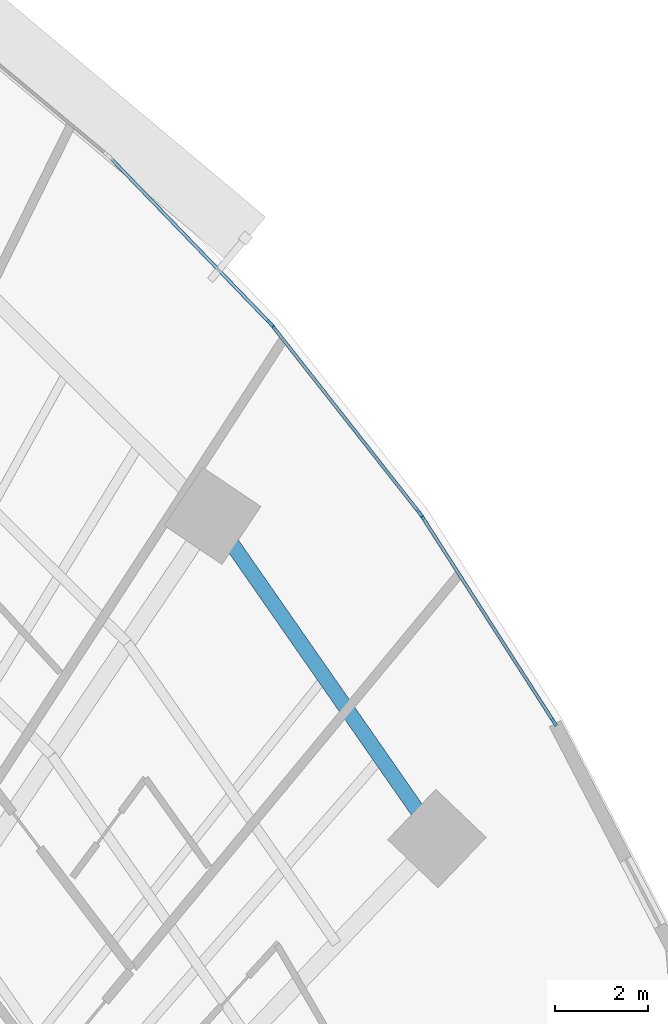
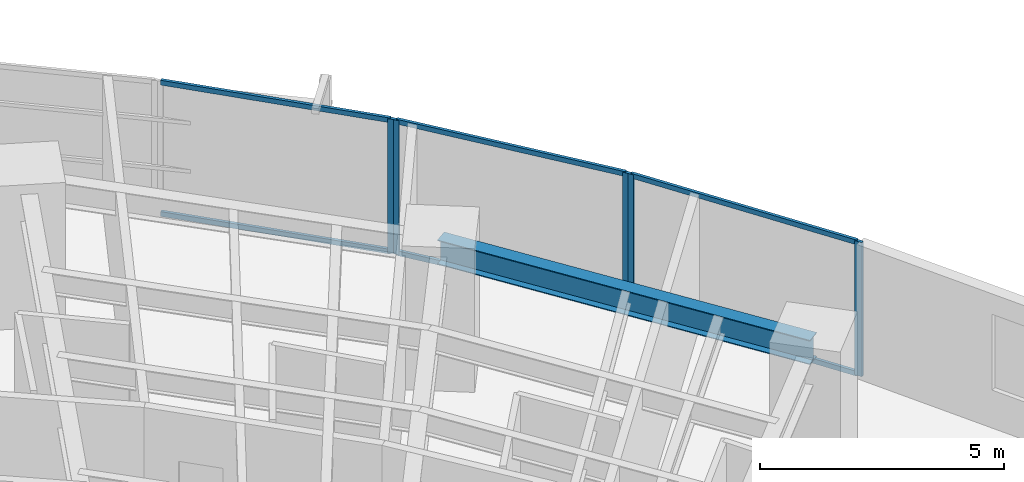
# One storey, part 8 of 18: 11 members, 1 beam, 3 elements without a shape of their own.
"""IFC4 building model written with IfcOpenShell, lengths in metres."""

from ifc_helpers import new_model, si_unit, direction, frame, origin, origin_2d, place, context, subcontext, project, spatial, rectangle, i_section, extrude, source, transform, mapped, material, layer, layer_set, material_profile, profile_set, type_object, type_shapes, element, aggregate, save


model = new_model("IFC4")

# Units and contexts
model_context = context("Model", 3, precision=1e-05, world=origin(), true_north=direction((0.0, 1.0)))
body_context = subcontext(model_context, "Body", "Model", "MODEL_VIEW")
ifc_project = project(units=[si_unit("LENGTHUNIT", "METRE"), si_unit("AREAUNIT", "SQUARE_METRE"), si_unit("VOLUMEUNIT", "CUBIC_METRE"), si_unit("PLANEANGLEUNIT", "RADIAN"), si_unit("MASSUNIT", "GRAM", prefix="KILO")], contexts=[model_context])

# Site, building, storey
site_placement = place(None, origin())
site = spatial("IfcSite", under=ifc_project, at=site_placement, CompositionType="ELEMENT")
building_placement = place(site_placement, origin())
building = spatial("IfcBuilding", under=site, at=building_placement, Name="Breltana Convention Tower", CompositionType="ELEMENT")
storey_placement = place(building_placement, frame((0.0, 0.0, 35.39990234375)))
storey = spatial("IfcBuildingStorey", under=building, at=storey_placement, Name="L06", CompositionType="ELEMENT", Elevation=35.39990234375)

# Beam
ifc_material_1 = material(Name="Steel ASTM A992 Grade 50", Category="steel")
ifc_material_profile_1 = material_profile(ifc_material_1, i_section(OverallWidth=0.323974609375, OverallDepth=0.611083984375, WebThickness=0.0126953125, FlangeThickness=0.01904296875, at=origin_2d()), Name="W24X104")
ifc_profile_set_1 = profile_set([ifc_material_profile_1], Name="Steel ASTM A992 Grade 50")
beam_type = type_object("IfcBeamType", Name="BM-SP-W24X104", PredefinedType="SPANDREL", material=ifc_profile_set_1)
shared_shape_1 = source(origin(), body_context, "Body", "SweptSolid", [
    extrude(i_section(OverallWidth=0.323974609375, OverallDepth=0.611083984375, WebThickness=0.0126953125, FlangeThickness=0.01904296875, at=origin_2d()), origin(), (0.0, 0.0, 1.0), 8.44970703125),
])
beam_placement = place(storey_placement, frame((75.166748046875, 62.43017578125, 3.0546875), z_axis=(0.5711855381, -0.820820979913, 0.0), x_axis=(0.820820979913, 0.5711855381, 0.0)))
element("IfcBeam", 1, at=beam_placement, inside=storey, type_object=beam_type, Name="L06 Outer Spandrel Beam 10", PredefinedType="SPANDREL", context=body_context, shape_type="MappedRepresentation", body=[
    mapped(shared_shape_1, transform((0.0, 0.0, 0.0), scale=1.0)),
])

# Curtain wall, member
ifc_material_2 = material(Name="Aluminium Anodised Bronze Frame", Category="aluminium")
ifc_layer = layer(ifc_material_2, 0.199951171875, Name="Aluminium Anodised Bronze Frame")
ifc_layer_set = layer_set([ifc_layer], Name="Aluminium Anodised Bronze Frame")
curtain_wall_type = type_object("IfcCurtainWallType", Name="CW-SYS-2", PredefinedType="NOTDEFINED", material=ifc_layer_set)
curtain_wall_1_placement = place(storey_placement, origin())
curtain_wall_1 = element("IfcCurtainWall", 2, at=curtain_wall_1_placement, inside=storey, type_object=curtain_wall_type, Name="L06 outer double-skin inner glazing 16", PredefinedType="NOTDEFINED")
ifc_material_3 = material(Name="Aluminium Anodised Bronze", Category="aluminium")
ifc_material_profile_2 = material_profile(ifc_material_3, rectangle(XDim=0.070068359375, YDim=0.175048828125, at=origin_2d()), Name="CWM-70X175")
ifc_profile_set_2 = profile_set([ifc_material_profile_2], Name="Aluminium Anodised Bronze")
member_type_1 = type_object("IfcMemberType", Name="CWM-175", PredefinedType="MULLION", material=ifc_profile_set_2)
shared_shape_2 = source(origin(), body_context, "Body", "SweptSolid", [
    extrude(rectangle(XDim=0.070068359375, YDim=0.175048828125, at=origin_2d()), origin(), (0.0, 0.0, 1.0), 3.360107421875),
])
type_shapes(member_type_1, [shared_shape_2])
member_1_placement = place(storey_placement, frame((76.408935546875, 66.571533203125, 0.0), z_axis=(0.0, 0.0, 1.0), x_axis=(0.719386421003, 0.694610090106, 0.0)))
member_1 = element("IfcMember", 3, at=member_1_placement, type_object=member_type_1, Name="CW-02 mullion 2", PredefinedType="MULLION", context=body_context, shape_type="MappedRepresentation", body=[
    mapped(shared_shape_2, transform((0.0, 0.0, 0.0), scale=1.0)),
])

# Curtain wall, members
curtain_wall_2_placement = place(storey_placement, origin())
curtain_wall_2 = element("IfcCurtainWall", 4, at=curtain_wall_2_placement, inside=storey, type_object=curtain_wall_type, Name="L06 outer double-skin inner glazing 17", PredefinedType="NOTDEFINED")
member_2_placement = place(storey_placement, frame((76.454833984375, 66.518798828125, 0.0), z_axis=(0.0, 0.0, 1.0), x_axis=(0.786057080698, 0.618153917633, 0.0)))
member_2 = element("IfcMember", 5, at=member_2_placement, type_object=member_type_1, Name="CW-02 mullion 1", PredefinedType="MULLION", context=body_context, shape_type="MappedRepresentation", body=[
    mapped(shared_shape_2, transform((0.0, 0.0, 0.0), scale=1.0)),
])
member_3_placement = place(storey_placement, frame((79.62255859375, 62.49072265625, 0.0), z_axis=(0.0, 0.0, 1.0), x_axis=(0.786057080698, 0.618153917633, 0.0)))
member_3 = element("IfcMember", 6, at=member_3_placement, type_object=member_type_1, Name="CW-02 mullion 2", PredefinedType="MULLION", context=body_context, shape_type="MappedRepresentation", body=[
    mapped(shared_shape_2, transform((0.0, 0.0, 0.0), scale=1.0)),
])

curtain_wall_3_placement = place(storey_placement, origin())
curtain_wall_3 = element("IfcCurtainWall", 7, at=curtain_wall_3_placement, inside=storey, type_object=curtain_wall_type, Name="L06 outer double-skin inner glazing 18", PredefinedType="NOTDEFINED")
member_4_placement = place(storey_placement, frame((79.6630859375, 62.43359375, 0.0), z_axis=(0.0, 0.0, 1.0), x_axis=(0.841549039154, 0.540180724109, 0.0)))
member_4 = element("IfcMember", 8, at=member_4_placement, type_object=member_type_1, Name="CW-02 mullion 1", PredefinedType="MULLION", context=body_context, shape_type="MappedRepresentation", body=[
    mapped(shared_shape_2, transform((0.0, 0.0, 0.0), scale=1.0)),
])
member_5_placement = place(storey_placement, frame((82.512939453125, 57.993896484375, 0.0), z_axis=(0.0, 0.0, 1.0), x_axis=(0.841549039154, 0.540180724109, 0.0)))
member_5 = element("IfcMember", 9, at=member_5_placement, type_object=member_type_1, Name="CW-02 mullion 2", PredefinedType="MULLION", context=body_context, shape_type="MappedRepresentation", body=[
    mapped(shared_shape_2, transform((0.0, 0.0, 0.0), scale=1.0)),
])

# Member
ifc_material_profile_3 = material_profile(ifc_material_3, rectangle(XDim=0.070068359375, YDim=0.1201171875, at=origin_2d()), Name="CWT-70X120")
ifc_profile_set_3 = profile_set([ifc_material_profile_3], Name="Aluminium Anodised Bronze")
member_type_2 = type_object("IfcMemberType", Name="CWT-120", PredefinedType="USERDEFINED", material=ifc_profile_set_3)
shared_shape_3 = source(origin(), body_context, "Body", "SweptSolid", [
    extrude(rectangle(XDim=0.070068359375, YDim=0.1201171875, at=origin_2d()), origin(), (0.0, 0.0, 1.0), 5.0546875),
])
member_6_placement = place(storey_placement, frame((76.4765625, 66.491455078125, 0.03515625), z_axis=(0.618135067667, -0.786071903913, 0.0), x_axis=(0.786071903913, 0.618135067667, 0.0)))
member_6 = element("IfcMember", 10, at=member_6_placement, type_object=member_type_2, Name="CW-02 transom 1.1", ObjectType="TRANSOM", PredefinedType="USERDEFINED", context=body_context, shape_type="MappedRepresentation", body=[
    mapped(shared_shape_3, transform((0.0, 0.0, 0.0), scale=1.0)),
])

member_7_placement = place(storey_placement, frame((76.4765625, 66.491455078125, 3.3251953125), z_axis=(0.618135067667, -0.786071903913, 0.0), x_axis=(0.786071903913, 0.618135067667, 0.0)))
member_7 = element("IfcMember", 11, at=member_7_placement, type_object=member_type_2, Name="CW-02 transom 1.2", ObjectType="TRANSOM", PredefinedType="USERDEFINED", context=body_context, shape_type="MappedRepresentation", body=[
    mapped(shared_shape_3, transform((0.0, 0.0, 0.0), scale=1.0)),
])

aggregate(curtain_wall_2, [member_2, member_3, member_6, member_7])

shared_shape_4 = source(origin(), body_context, "Body", "SweptSolid", [
    extrude(rectangle(XDim=0.070068359375, YDim=0.1201171875, at=origin_2d()), origin(), (0.0, 0.0, 1.0), 4.901123046875),
])
member_8_placement = place(storey_placement, frame((72.980224609375, 70.12255859375, 0.03515625), z_axis=(0.6945945137, -0.719401460617, 0.0), x_axis=(0.719401460617, 0.6945945137, 0.0)))
member_8 = element("IfcMember", 12, at=member_8_placement, type_object=member_type_2, Name="CW-02 transom 1.1", ObjectType="TRANSOM", PredefinedType="USERDEFINED", context=body_context, shape_type="MappedRepresentation", body=[
    mapped(shared_shape_4, transform((0.0, 0.0, 0.0), scale=1.0)),
])

member_9_placement = place(storey_placement, frame((72.980224609375, 70.12255859375, 3.3251953125), z_axis=(0.6945945137, -0.719401460617, 0.0), x_axis=(0.719401460617, 0.6945945137, 0.0)))
member_9 = element("IfcMember", 13, at=member_9_placement, type_object=member_type_2, Name="CW-02 transom 1.2", ObjectType="TRANSOM", PredefinedType="USERDEFINED", context=body_context, shape_type="MappedRepresentation", body=[
    mapped(shared_shape_4, transform((0.0, 0.0, 0.0), scale=1.0)),
])

aggregate(curtain_wall_1, [member_1, member_8, member_9])

shared_shape_5 = source(origin(), body_context, "Body", "SweptSolid", [
    extrude(rectangle(XDim=0.070068359375, YDim=0.1201171875, at=origin_2d()), origin(), (0.0, 0.0, 1.0), 5.205810546875),
])
member_10_placement = place(storey_placement, frame((79.68212890625, 62.404296875, 0.03515625), z_axis=(0.540179102764, -0.841550079875, 0.0), x_axis=(0.841550079875, 0.540179102764, 0.0)))
member_10 = element("IfcMember", 14, at=member_10_placement, type_object=member_type_2, Name="CW-02 transom 1.1", ObjectType="TRANSOM", PredefinedType="USERDEFINED", context=body_context, shape_type="MappedRepresentation", body=[
    mapped(shared_shape_5, transform((0.0, 0.0, 0.0), scale=1.0)),
])

member_11_placement = place(storey_placement, frame((79.68212890625, 62.404296875, 3.3251953125), z_axis=(0.540179102764, -0.841550079875, 0.0), x_axis=(0.841550079875, 0.540179102764, 0.0)))
member_11 = element("IfcMember", 15, at=member_11_placement, type_object=member_type_2, Name="CW-02 transom 1.2", ObjectType="TRANSOM", PredefinedType="USERDEFINED", context=body_context, shape_type="MappedRepresentation", body=[
    mapped(shared_shape_5, transform((0.0, 0.0, 0.0), scale=1.0)),
])

aggregate(curtain_wall_3, [member_4, member_5, member_10, member_11])

save(model, "model.ifc")
